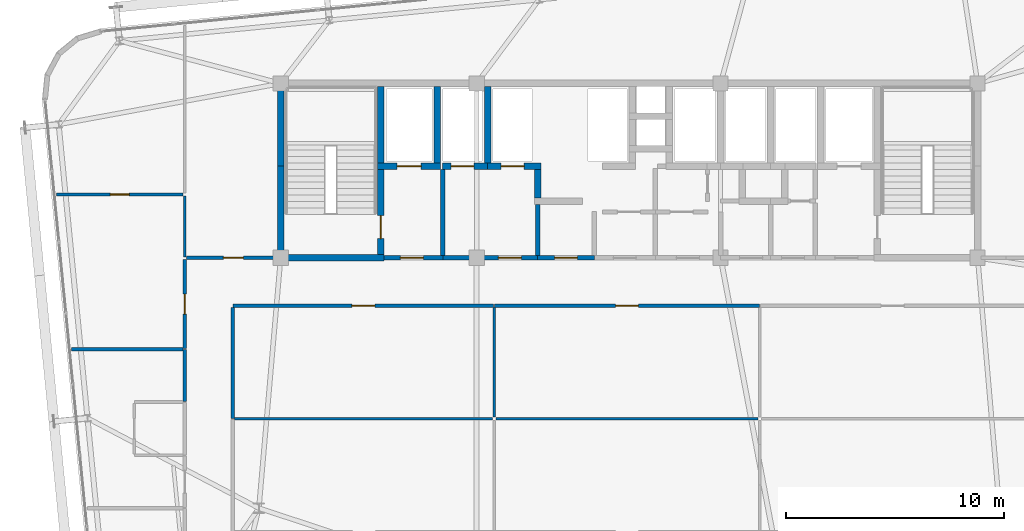
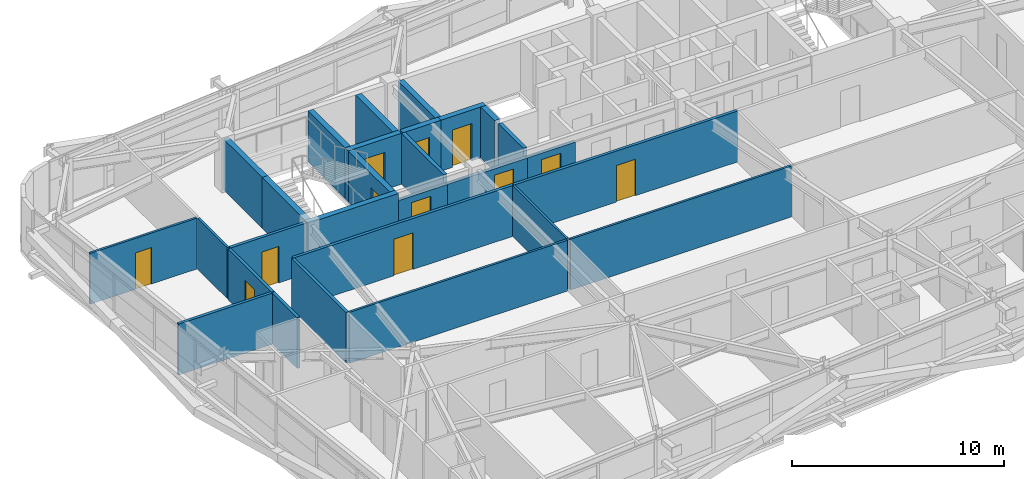
# One storey, part 47 of 54: 28 walls, 12 doors, 12 openings.
"""IFC4 building model written with IfcOpenShell, lengths in metres."""

from ifc_helpers import new_model, si_unit, direction, frame, frame_2d, origin, place, context, subcontext, project, spatial, rectangle, extrude, source, transform, mapped, material, layer, layer_set, type_object, element, fill, save


model = new_model("IFC4")

# Units and contexts
model_context = context("Model", 3, precision=1e-05, world=origin(), true_north=direction((0.0, 1.0)))
body_context = subcontext(model_context, "Body", "Model", "MODEL_VIEW")
ifc_project = project(units=[si_unit("LENGTHUNIT", "METRE"), si_unit("AREAUNIT", "SQUARE_METRE"), si_unit("VOLUMEUNIT", "CUBIC_METRE"), si_unit("PLANEANGLEUNIT", "RADIAN"), si_unit("MASSUNIT", "GRAM", prefix="KILO")], contexts=[model_context])

# Site, building, storey
site_placement = place(None, origin())
site = spatial("IfcSite", under=ifc_project, at=site_placement, CompositionType="ELEMENT")
building_placement = place(site_placement, origin())
building = spatial("IfcBuilding", under=site, at=building_placement, Name="Taldren Reach Tower", CompositionType="ELEMENT")
storey_placement = place(building_placement, frame((0.0, 0.0, 102.89990234375)))
storey = spatial("IfcBuildingStorey", under=building, at=storey_placement, Name="L31", CompositionType="ELEMENT", Elevation=102.89990234375)

# Wall, opening, door
ifc_material_1 = material(Name="Concrete S50 (50 MPa)", Category="concrete")
ifc_layer_1 = layer(ifc_material_1, 0.199951171875)
ifc_layer_set_1 = layer_set([ifc_layer_1], Name="Concrete S50 (50 MPa)")
wall_type_1 = type_object("IfcWallType", Name="IW-CORE-200", PredefinedType="SOLIDWALL", material=ifc_layer_set_1)
shared_shape_1 = source(origin(), body_context, "Body", "SweptSolid", [
    extrude(rectangle(XDim=4.35009765625, YDim=0.199951171875, at=frame_2d((2.175048828125, 0.0))), origin(), (0.0, 0.0, 1.0), 2.47021484375),
])
wall_1_placement = place(storey_placement, frame((30.800048828125, 24.0, 0.0), z_axis=(0.0, 0.0, 1.0), x_axis=(-1.0, 0.0, 0.0)))
wall_1 = element("IfcWall", 1, at=wall_1_placement, inside=storey, type_object=wall_type_1, Name="Rear Core Shear Wall W-INT-L31-034", PredefinedType="SOLIDWALL", context=body_context, shape_type="MappedRepresentation", body=[
    mapped(shared_shape_1, transform((0.0, 0.0, 0.0), scale=1.0)),
])
shared_shape_2 = source(origin(), body_context, "Body", "SweptSolid", [
    extrude(rectangle(XDim=1.050048828125, YDim=2.10009765625, at=frame_2d((0.52490234375, 1.050048828125))), frame((0.0, 0.10986328125, 0.0), z_axis=(0.0, -1.0, 0.0), x_axis=(1.0, 0.0, 0.0)), (0.0, 0.0, 1.0), 0.219970703125),
])
opening_1_placement = place(wall_1_placement, frame((0.75, 0.0, 0.0)))
opening_1 = element("IfcOpeningElement", 2, at=opening_1_placement, cuts=wall_1, Name="Opening DF-105", PredefinedType="OPENING", context=body_context, shape_type="MappedRepresentation", body=[
    mapped(shared_shape_2, transform((0.0, 0.0, 0.0), scale=1.0)),
])
ifc_material_2 = material(Name="Fire-Rated Care and Stair Exit Door")
door_type_1 = type_object("IfcDoorType", Name="ID-FIRE-105", OperationType="NOTDEFINED", PredefinedType="DOOR", material=ifc_material_2)
shared_shape_3 = source(origin(), body_context, "Body", "SweptSolid", [
    extrude(rectangle(XDim=1.050048828125, YDim=2.10009765625, at=frame_2d((0.52490234375, 1.050048828125))), frame((0.0, 0.02490234375, 0.0), z_axis=(0.0, -1.0, 0.0), x_axis=(1.0, 0.0, 0.0)), (0.0, 0.0, 1.0), 0.050048828125),
])
door_1_placement = place(opening_1_placement, frame((1.050048828125, 0.0, 0.0), z_axis=(0.0, 0.0, 1.0), x_axis=(-1.0, 0.0, 0.0)))
door_1 = element("IfcDoor", 3, at=door_1_placement, inside=storey, type_object=door_type_1, Name="Interior Door DR-L31-005", OperationType="SINGLE_SWING_RIGHT", OverallHeight=2.10009765625, OverallWidth=1.050048828125, PredefinedType="DOOR", context=body_context, shape_type="MappedRepresentation", body=[
    mapped(shared_shape_3, transform((0.0, 0.0, 0.0), scale=1.0)),
])
fill(opening_1, door_1)

shared_shape_4 = source(origin(), body_context, "Body", "SweptSolid", [
    extrude(rectangle(XDim=2.599853515625, YDim=0.199951171875, at=frame_2d((1.2998046875, 0.0))), origin(), (0.0, 0.0, 1.0), 2.47021484375),
])
wall_2_placement = place(storey_placement, frame((33.39990234375, 24.0, 0.0), z_axis=(0.0, 0.0, 1.0), x_axis=(-1.0, 0.0, 0.0)))
wall_2 = element("IfcWall", 4, at=wall_2_placement, inside=storey, type_object=wall_type_1, Name="Rear Core Shear Wall W-INT-L31-045", PredefinedType="SOLIDWALL", context=body_context, shape_type="MappedRepresentation", body=[
    mapped(shared_shape_4, transform((0.0, 0.0, 0.0), scale=1.0)),
])
opening_2_placement = place(wall_2_placement, frame((0.77490234375, 0.0, 0.0)))
opening_2 = element("IfcOpeningElement", 5, at=opening_2_placement, cuts=wall_2, Name="Opening DF-105", PredefinedType="OPENING", context=body_context, shape_type="MappedRepresentation", body=[
    mapped(shared_shape_2, transform((0.0, 0.0, 0.0), scale=1.0)),
])
door_2_placement = place(opening_2_placement, frame((1.050048828125, 0.0, 0.0), z_axis=(0.0, 0.0, 1.0), x_axis=(-1.0, 0.0, 0.0)))
door_2 = element("IfcDoor", 6, at=door_2_placement, inside=storey, type_object=door_type_1, Name="Interior Door DR-L31-006", OperationType="SINGLE_SWING_RIGHT", OverallHeight=2.10009765625, OverallWidth=1.050048828125, PredefinedType="DOOR", context=body_context, shape_type="MappedRepresentation", body=[
    mapped(shared_shape_3, transform((0.0, 0.0, 0.0), scale=1.0)),
])
fill(opening_2, door_2)

ifc_material_3 = material(Name="Fire-Rated Acoustic Plasterboard Stud Wall", Category="gypsum")
ifc_layer_2 = layer(ifc_material_3, 0.159912109375)
ifc_layer_set_2 = layer_set([ifc_layer_2], Name="Fire-Rated Acoustic Plasterboard Stud Wall")
wall_type_2 = type_object("IfcWallType", Name="IW-FIRE-160", PredefinedType="PARTITIONING", material=ifc_layer_set_2)
shared_shape_5 = source(origin(), body_context, "Body", "SweptSolid", [
    extrude(rectangle(XDim=12.159423828125, YDim=0.159912109375, at=frame_2d((6.07958984375, 0.0))), origin(), (0.0, 0.0, 1.0), 2.93017578125),
])
wall_3_placement = place(storey_placement, frame((40.979736328125, 21.800048828125, 0.0), z_axis=(0.0, 0.0, 1.0), x_axis=(-1.0, 0.0, 0.0)))
wall_3 = element("IfcWall", 7, at=wall_3_placement, inside=storey, type_object=wall_type_2, Name="Interior Partition Wall W-INT-L31-063", PredefinedType="PARTITIONING", context=body_context, shape_type="MappedRepresentation", body=[
    mapped(shared_shape_5, transform((0.0, 0.0, 0.0), scale=1.0)),
])
shared_shape_6 = source(origin(), body_context, "Body", "SweptSolid", [
    extrude(rectangle(XDim=1.050048828125, YDim=2.10009765625, at=frame_2d((0.52490234375, 1.050048828125))), frame((0.0, 0.08984375, 0.0), z_axis=(0.0, -1.0, 0.0), x_axis=(1.0, 0.0, 0.0)), (0.0, 0.0, 1.0), 0.179931640625),
])
opening_3_placement = place(wall_3_placement, frame((5.5546875, 0.0, 0.0)))
opening_3 = element("IfcOpeningElement", 8, at=opening_3_placement, cuts=wall_3, Name="Opening DF-105", PredefinedType="OPENING", context=body_context, shape_type="MappedRepresentation", body=[
    mapped(shared_shape_6, transform((0.0, 0.0, 0.0), scale=1.0)),
])
door_3_placement = place(opening_3_placement, origin())
door_3 = element("IfcDoor", 9, at=door_3_placement, inside=storey, type_object=door_type_1, Name="Interior Door DR-L31-015", OperationType="SINGLE_SWING_RIGHT", OverallHeight=2.10009765625, OverallWidth=1.050048828125, PredefinedType="DOOR", context=body_context, shape_type="MappedRepresentation", body=[
    mapped(shared_shape_3, transform((0.0, 0.0, 0.0), scale=1.0)),
])
fill(opening_3, door_3)

# Walls
shared_shape_7 = source(origin(), body_context, "Body", "SweptSolid", [
    extrude(rectangle(XDim=5.099853515625, YDim=0.159912109375, at=frame_2d((2.5498046875, 0.0))), origin(), (0.0, 0.0, 1.0), 2.93017578125),
])
wall_4_placement = place(storey_placement, frame((16.800048828125, 21.719970703125, 0.0), z_axis=(0.0, 0.0, 1.0), x_axis=(0.0, -1.0, 0.0)))
element("IfcWall", 10, at=wall_4_placement, inside=storey, type_object=wall_type_2, Name="Interior Partition Wall W-INT-L31-062", PredefinedType="PARTITIONING", context=body_context, shape_type="MappedRepresentation", body=[
    mapped(shared_shape_7, transform((0.0, 0.0, 0.0), scale=1.0)),
])
ifc_material_4 = material(Name="Insulated Residential Stud Partition", Category="gypsum")
ifc_layer_3 = layer(ifc_material_4, 0.1201171875)
ifc_layer_set_3 = layer_set([ifc_layer_3], Name="Insulated Residential Stud Partition")
wall_type_3 = type_object("IfcWallType", Name="IW-PART-120", PredefinedType="PARTITIONING", material=ifc_layer_set_3)
shared_shape_8 = source(origin(), body_context, "Body", "SweptSolid", [
    extrude(rectangle(XDim=12.0400390625, YDim=0.1201171875, at=frame_2d((6.02001953125, 0.0))), origin(), (0.0, 0.0, 1.0), 2.93017578125),
])
wall_5_placement = place(storey_placement, frame((28.8798828125, 16.60009765625, 0.0), z_axis=(0.0, 0.0, 1.0), x_axis=(1.0, 0.0, 0.0)))
element("IfcWall", 11, at=wall_5_placement, inside=storey, type_object=wall_type_3, Name="Interior Partition Wall W-INT-L31-093", PredefinedType="PARTITIONING", context=body_context, shape_type="MappedRepresentation", body=[
    mapped(shared_shape_8, transform((0.0, 0.0, 0.0), scale=1.0)),
])
shared_shape_9 = source(origin(), body_context, "Body", "SweptSolid", [
    extrude(rectangle(XDim=5.0400390625, YDim=0.1201171875, at=frame_2d((2.52001953125, 0.0))), origin(), (0.0, 0.0, 1.0), 2.93017578125),
])
wall_6_placement = place(storey_placement, frame((28.800048828125, 21.719970703125, 0.0), z_axis=(0.0, 0.0, 1.0), x_axis=(0.0, -1.0, 0.0)))
element("IfcWall", 12, at=wall_6_placement, inside=storey, type_object=wall_type_3, Name="Interior Partition Wall W-INT-L31-092", PredefinedType="PARTITIONING", context=body_context, shape_type="MappedRepresentation", body=[
    mapped(shared_shape_9, transform((0.0, 0.0, 0.0), scale=1.0)),
])

# Wall, opening, door
shared_shape_10 = source(origin(), body_context, "Body", "SweptSolid", [
    extrude(rectangle(XDim=11.95947265625, YDim=0.159912109375, at=frame_2d((5.979736328125, 0.0))), origin(), (0.0, 0.0, 1.0), 2.93017578125),
])
wall_7_placement = place(storey_placement, frame((28.77978515625, 21.800048828125, 0.0), z_axis=(0.0, 0.0, 1.0), x_axis=(-1.0, 0.0, 0.0)))
wall_7 = element("IfcWall", 13, at=wall_7_placement, inside=storey, type_object=wall_type_2, Name="Interior Partition Wall W-INT-L31-061", PredefinedType="PARTITIONING", context=body_context, shape_type="MappedRepresentation", body=[
    mapped(shared_shape_10, transform((0.0, 0.0, 0.0), scale=1.0)),
])
opening_4_placement = place(wall_7_placement, frame((5.454833984375, 0.0, 0.0)))
opening_4 = element("IfcOpeningElement", 14, at=opening_4_placement, cuts=wall_7, Name="Opening DF-105", PredefinedType="OPENING", context=body_context, shape_type="MappedRepresentation", body=[
    mapped(shared_shape_6, transform((0.0, 0.0, 0.0), scale=1.0)),
])
door_4_placement = place(opening_4_placement, origin())
door_4 = element("IfcDoor", 15, at=door_4_placement, inside=storey, type_object=door_type_1, Name="Interior Door DR-L31-014", OperationType="SINGLE_SWING_LEFT", OverallHeight=2.10009765625, OverallWidth=1.050048828125, PredefinedType="DOOR", context=body_context, shape_type="MappedRepresentation", body=[
    mapped(shared_shape_3, transform((0.0, 0.0, 0.0), scale=1.0)),
])
fill(opening_4, door_4)

# Walls
shared_shape_11 = source(origin(), body_context, "Body", "SweptSolid", [
    extrude(rectangle(XDim=11.840087890625, YDim=0.1201171875, at=frame_2d((5.919921875, 0.0))), origin(), (0.0, 0.0, 1.0), 2.93017578125),
])
wall_8_placement = place(storey_placement, frame((16.8798828125, 16.60009765625, 0.0), z_axis=(0.0, 0.0, 1.0), x_axis=(1.0, 0.0, 0.0)))
element("IfcWall", 16, at=wall_8_placement, inside=storey, type_object=wall_type_3, Name="Interior Partition Wall W-INT-L31-090", PredefinedType="PARTITIONING", context=body_context, shape_type="MappedRepresentation", body=[
    mapped(shared_shape_11, transform((0.0, 0.0, 0.0), scale=1.0)),
])
ifc_material_5 = material(Name="Concrete S65 (65 MPa)", Category="concrete")
ifc_layer_4 = layer(ifc_material_5, 0.300048828125)
ifc_layer_set_4 = layer_set([ifc_layer_4], Name="Concrete S65 (65 MPa)")
wall_type_4 = type_object("IfcWallType", Name="IW-CORE-300", PredefinedType="SHEAR", material=ifc_layer_set_4)
shared_shape_12 = source(origin(), body_context, "Body", "SweptSolid", [
    extrude(rectangle(XDim=4.050048828125, YDim=0.300048828125, at=frame_2d((2.02490234375, 0.0))), origin(), (0.0, 0.0, 1.0), 2.93017578125),
])
wall_9_placement = place(storey_placement, frame((19.0, 24.14990234375, 0.0), z_axis=(0.0, 0.0, 1.0), x_axis=(0.0, 1.0, 0.0)))
element("IfcWall", 17, at=wall_9_placement, inside=storey, type_object=wall_type_4, Name="Rear Core Shear Wall W-CORE-L31-WEST1", PredefinedType="SHEAR", context=body_context, shape_type="MappedRepresentation", body=[
    mapped(shared_shape_12, transform((0.0, 0.0, 0.0), scale=1.0)),
])
shared_shape_13 = source(origin(), body_context, "Body", "SweptSolid", [
    extrude(rectangle(XDim=3.650146484375, YDim=0.300048828125, at=frame_2d((1.8251953125, 0.0))), origin(), (0.0, 0.0, 1.0), 2.93017578125),
])
wall_10_placement = place(storey_placement, frame((19.0, 28.199951171875, 0.0), z_axis=(0.0, 0.0, 1.0), x_axis=(0.0, 1.0, 0.0)))
element("IfcWall", 18, at=wall_10_placement, inside=storey, type_object=wall_type_4, Name="Rear Core Shear Wall W-CORE-L31-WEST2", PredefinedType="SHEAR", context=body_context, shape_type="MappedRepresentation", body=[
    mapped(shared_shape_13, transform((0.0, 0.0, 0.0), scale=1.0)),
])
shared_shape_14 = source(origin(), body_context, "Body", "SweptSolid", [
    extrude(rectangle(XDim=3.5, YDim=0.300048828125, at=frame_2d((1.75, 0.0))), origin(), (0.0, 0.0, 1.0), 2.93017578125),
])
for number, where, z_axis, x_axis, name in (
    (19, (23.60009765625, 28.35009765625, 0.0), (0.0, 0.0, 1.0), (0.0, 1.0, 0.0), "Rear Core Shear Wall W-INT-L31-001"),
    (20, (26.199951171875, 28.35009765625, 0.0), (0.0, 0.0, 1.0), (0.0, 1.0, 0.0), "Rear Core Shear Wall W-INT-L31-005"),
    (21, (28.5, 28.35009765625, 0.0), (0.0, 0.0, 1.0), (0.0, 1.0, 0.0), "Rear Core Shear Wall W-INT-L31-030"),
):
    element("IfcWall", number, at=place(storey_placement, frame(where, z_axis=z_axis, x_axis=x_axis)), inside=storey, type_object=wall_type_4, Name=name, PredefinedType="SHEAR", context=body_context, shape_type="MappedRepresentation", body=[
        mapped(shared_shape_14, transform((0.0, 0.0, 0.0), scale=1.0)),
    ])

# Wall, opening, door
shared_shape_15 = source(origin(), body_context, "Body", "SweptSolid", [
    extrude(rectangle(XDim=3.900146484375, YDim=0.300048828125, at=frame_2d((1.9501953125, 0.0))), origin(), (0.0, 0.0, 1.0), 2.93017578125),
])
wall_11_placement = place(storey_placement, frame((23.60009765625, 24.14990234375, 0.0), z_axis=(0.0, 0.0, 1.0), x_axis=(0.0, 1.0, 0.0)))
wall_11 = element("IfcWall", 22, at=wall_11_placement, inside=storey, type_object=wall_type_4, Name="Rear Core Shear Wall W-INT-L31-002", PredefinedType="SHEAR", context=body_context, shape_type="MappedRepresentation", body=[
    mapped(shared_shape_15, transform((0.0, 0.0, 0.0), scale=1.0)),
])
shared_shape_16 = source(origin(), body_context, "Body", "SweptSolid", [
    extrude(rectangle(XDim=1.050048828125, YDim=2.10009765625, at=frame_2d((0.52490234375, 1.050048828125))), frame((0.0, 0.16015625, 0.0), z_axis=(0.0, -1.0, 0.0), x_axis=(1.0, 0.0, 0.0)), (0.0, 0.0, 1.0), 0.320068359375),
])
opening_5_placement = place(wall_11_placement, frame((0.72509765625, 0.0, 0.0)))
opening_5 = element("IfcOpeningElement", 23, at=opening_5_placement, cuts=wall_11, Name="Opening DF-105", PredefinedType="OPENING", context=body_context, shape_type="MappedRepresentation", body=[
    mapped(shared_shape_16, transform((0.0, 0.0, 0.0), scale=1.0)),
])
door_5_placement = place(opening_5_placement, origin())
door_5 = element("IfcDoor", 24, at=door_5_placement, inside=storey, type_object=door_type_1, Name="Fire Exit Stair Door DR-L31-001", OperationType="SINGLE_SWING_LEFT", OverallHeight=2.10009765625, OverallWidth=1.050048828125, PredefinedType="DOOR", context=body_context, shape_type="MappedRepresentation", body=[
    mapped(shared_shape_3, transform((0.0, 0.0, 0.0), scale=1.0)),
])
fill(opening_5, door_5)

# Wall
shared_shape_17 = source(origin(), body_context, "Body", "SweptSolid", [
    extrude(rectangle(XDim=4.89990234375, YDim=0.300048828125, at=frame_2d((2.449951171875, 0.0))), origin(), (0.0, 0.0, 1.0), 2.93017578125),
])
wall_12_placement = place(storey_placement, frame((18.85009765625, 24.0, 0.0), z_axis=(0.0, 0.0, 1.0), x_axis=(1.0, 0.0, 0.0)))
element("IfcWall", 25, at=wall_12_placement, inside=storey, type_object=wall_type_4, Name="Rear Core Shear Wall W-INT-L31-003", PredefinedType="SHEAR", context=body_context, shape_type="MappedRepresentation", body=[
    mapped(shared_shape_17, transform((0.0, 0.0, 0.0), scale=1.0)),
])

# Wall, opening, door
shared_shape_18 = source(origin(), body_context, "Body", "SweptSolid", [
    extrude(rectangle(XDim=2.900146484375, YDim=0.300048828125, at=frame_2d((1.4501953125, 0.0))), origin(), (0.0, 0.0, 1.0), 2.93017578125),
])
wall_13_placement = place(storey_placement, frame((23.449951171875, 28.199951171875, 0.0), z_axis=(0.0, 0.0, 1.0), x_axis=(1.0, 0.0, 0.0)))
wall_13 = element("IfcWall", 26, at=wall_13_placement, inside=storey, type_object=wall_type_4, Name="Rear Core Shear Wall W-INT-L31-004", PredefinedType="SHEAR", context=body_context, shape_type="MappedRepresentation", body=[
    mapped(shared_shape_18, transform((0.0, 0.0, 0.0), scale=1.0)),
])
shared_shape_19 = source(origin(), body_context, "Body", "SweptSolid", [
    extrude(rectangle(XDim=1.10009765625, YDim=2.14990234375, at=frame_2d((0.550048828125, 1.074951171875))), frame((0.0, 0.16015625, 0.0), z_axis=(0.0, -1.0, 0.0), x_axis=(1.0, 0.0, 0.0)), (0.0, 0.0, 1.0), 0.320068359375),
])
opening_6_placement = place(wall_13_placement, frame((0.89990234375, 0.0, 0.0)))
opening_6 = element("IfcOpeningElement", 27, at=opening_6_placement, cuts=wall_13, Name="Opening LD-FL1", PredefinedType="OPENING", context=body_context, shape_type="MappedRepresentation", body=[
    mapped(shared_shape_19, transform((0.0, 0.0, 0.0), scale=1.0)),
])
ifc_material_6 = material(Name="Stainless Steel Gr 316 Emergency Lift Landing Door", Category="steel")
door_type_2 = type_object("IfcDoorType", Name="LD-EMG-110", OperationType="SLIDING_TO_LEFT", PredefinedType="DOOR", material=ifc_material_6)
shared_shape_20 = source(origin(), body_context, "Body", "SweptSolid", [
    extrude(rectangle(XDim=1.10009765625, YDim=2.14990234375, at=frame_2d((0.550048828125, 1.074951171875))), frame((0.0, 0.02490234375, 0.0), z_axis=(0.0, -1.0, 0.0), x_axis=(1.0, 0.0, 0.0)), (0.0, 0.0, 1.0), 0.050048828125),
])
door_6_placement = place(opening_6_placement, origin())
door_6 = element("IfcDoor", 28, at=door_6_placement, inside=storey, type_object=door_type_2, Name="Lift Landing Door LD-FL1-L31", OperationType="SLIDING_TO_LEFT", OverallHeight=2.14990234375, OverallWidth=1.10009765625, PredefinedType="DOOR", context=body_context, shape_type="MappedRepresentation", body=[
    mapped(shared_shape_20, transform((0.0, 0.0, 0.0), scale=1.0)),
])
fill(opening_6, door_6)

# Wall
shared_shape_21 = source(origin(), body_context, "Body", "SweptSolid", [
    extrude(rectangle(XDim=3.949951171875, YDim=0.199951171875, at=frame_2d((1.97509765625, 0.0))), origin(), (0.0, 0.0, 1.0), 2.93017578125),
])
wall_14_placement = place(storey_placement, frame((26.449951171875, 24.10009765625, 0.0), z_axis=(0.0, 0.0, 1.0), x_axis=(0.0, 1.0, 0.0)))
element("IfcWall", 29, at=wall_14_placement, inside=storey, type_object=wall_type_1, Name="Rear Core Shear Wall W-INT-L31-006", PredefinedType="SOLIDWALL", context=body_context, shape_type="MappedRepresentation", body=[
    mapped(shared_shape_21, transform((0.0, 0.0, 0.0), scale=1.0)),
])

# Wall, opening, door
shared_shape_22 = source(origin(), body_context, "Body", "SweptSolid", [
    extrude(rectangle(XDim=2.699951171875, YDim=0.199951171875, at=frame_2d((1.35009765625, 0.0))), origin(), (0.0, 0.0, 1.0), 2.47021484375),
])
wall_15_placement = place(storey_placement, frame((23.75, 24.0, 0.0), z_axis=(0.0, 0.0, 1.0), x_axis=(1.0, 0.0, 0.0)))
wall_15 = element("IfcWall", 30, at=wall_15_placement, inside=storey, type_object=wall_type_1, Name="Rear Core Shear Wall W-INT-L31-007", PredefinedType="SOLIDWALL", context=body_context, shape_type="MappedRepresentation", body=[
    mapped(shared_shape_22, transform((0.0, 0.0, 0.0), scale=1.0)),
])
opening_7_placement = place(wall_15_placement, frame((0.75, 0.0, 0.0)))
opening_7 = element("IfcOpeningElement", 31, at=opening_7_placement, cuts=wall_15, Name="Opening DF-105", PredefinedType="OPENING", context=body_context, shape_type="MappedRepresentation", body=[
    mapped(shared_shape_2, transform((0.0, 0.0, 0.0), scale=1.0)),
])
door_7_placement = place(opening_7_placement, origin())
door_7 = element("IfcDoor", 32, at=door_7_placement, inside=storey, type_object=door_type_1, Name="Interior Door DR-L31-002", OperationType="SINGLE_SWING_LEFT", OverallHeight=2.10009765625, OverallWidth=1.050048828125, PredefinedType="DOOR", context=body_context, shape_type="MappedRepresentation", body=[
    mapped(shared_shape_3, transform((0.0, 0.0, 0.0), scale=1.0)),
])
fill(opening_7, door_7)

# Wall
shared_shape_23 = source(origin(), body_context, "Body", "SweptSolid", [
    extrude(rectangle(XDim=1.300048828125, YDim=0.300048828125, at=frame_2d((0.64990234375, 0.0))), origin(), (0.0, 0.0, 1.0), 2.93017578125),
])
wall_16_placement = place(storey_placement, frame((30.800048828125, 28.050048828125, 0.0), z_axis=(0.0, 0.0, 1.0), x_axis=(0.0, -1.0, 0.0)))
element("IfcWall", 33, at=wall_16_placement, inside=storey, type_object=wall_type_4, Name="Rear Core Shear Wall W-INT-L31-022", PredefinedType="SHEAR", context=body_context, shape_type="MappedRepresentation", body=[
    mapped(shared_shape_23, transform((0.0, 0.0, 0.0), scale=1.0)),
])

# Wall, opening, door
shared_shape_24 = source(origin(), body_context, "Body", "SweptSolid", [
    extrude(rectangle(XDim=2.070068359375, YDim=0.300048828125, at=frame_2d((1.03515625, 0.0))), origin(), (0.0, 0.0, 1.0), 2.93017578125),
])
wall_17_placement = place(storey_placement, frame((26.429931640625, 28.199951171875, 0.0), z_axis=(0.0, 0.0, 1.0), x_axis=(1.0, 0.0, 0.0)))
wall_17 = element("IfcWall", 34, at=wall_17_placement, inside=storey, type_object=wall_type_4, Name="Rear Core Shear Wall W-INT-L31-031", PredefinedType="SHEAR", context=body_context, shape_type="MappedRepresentation", body=[
    mapped(shared_shape_24, transform((0.0, 0.0, 0.0), scale=1.0)),
])
shared_shape_25 = source(origin(), body_context, "Body", "SweptSolid", [
    extrude(rectangle(XDim=1.050048828125, YDim=2.14990234375, at=frame_2d((0.52490234375, 1.074951171875))), frame((0.0, 0.16015625, 0.0), z_axis=(0.0, -1.0, 0.0), x_axis=(1.0, 0.0, 0.0)), (0.0, 0.0, 1.0), 0.320068359375),
])
opening_8_placement = place(wall_17_placement, frame((0.39501953125, 0.0, 0.0)))
opening_8 = element("IfcOpeningElement", 35, at=opening_8_placement, cuts=wall_17, Name="Opening LD-PL1", PredefinedType="OPENING", context=body_context, shape_type="MappedRepresentation", body=[
    mapped(shared_shape_25, transform((0.0, 0.0, 0.0), scale=1.0)),
])
ifc_material_7 = material(Name="Stainless Steel Gr 316 Passenger Lift Landing Door", Category="steel")
door_type_3 = type_object("IfcDoorType", Name="LD-PAS-105", OperationType="SLIDING_TO_LEFT", PredefinedType="DOOR", material=ifc_material_7)
shared_shape_26 = source(origin(), body_context, "Body", "SweptSolid", [
    extrude(rectangle(XDim=1.050048828125, YDim=2.14990234375, at=frame_2d((0.52490234375, 1.074951171875))), frame((0.0, 0.02490234375, 0.0), z_axis=(0.0, -1.0, 0.0), x_axis=(1.0, 0.0, 0.0)), (0.0, 0.0, 1.0), 0.050048828125),
])
door_8_placement = place(opening_8_placement, origin())
door_8 = element("IfcDoor", 36, at=door_8_placement, inside=storey, type_object=door_type_3, Name="Lift Landing Door LD-PL1-L31", OperationType="SLIDING_TO_LEFT", OverallHeight=2.14990234375, OverallWidth=1.050048828125, PredefinedType="DOOR", context=body_context, shape_type="MappedRepresentation", body=[
    mapped(shared_shape_26, transform((0.0, 0.0, 0.0), scale=1.0)),
])
fill(opening_8, door_8)

shared_shape_27 = source(origin(), body_context, "Body", "SweptSolid", [
    extrude(rectangle(XDim=2.449951171875, YDim=0.300048828125, at=frame_2d((1.22509765625, 0.0))), origin(), (0.0, 0.0, 1.0), 2.93017578125),
])
wall_18_placement = place(storey_placement, frame((28.5, 28.199951171875, 0.0), z_axis=(0.0, 0.0, 1.0), x_axis=(1.0, 0.0, 0.0)))
wall_18 = element("IfcWall", 37, at=wall_18_placement, inside=storey, type_object=wall_type_4, Name="Rear Core Shear Wall W-INT-L31-032", PredefinedType="SHEAR", context=body_context, shape_type="MappedRepresentation", body=[
    mapped(shared_shape_27, transform((0.0, 0.0, 0.0), scale=1.0)),
])
opening_9_placement = place(wall_18_placement, frame((0.625, 0.0, 0.0)))
opening_9 = element("IfcOpeningElement", 38, at=opening_9_placement, cuts=wall_18, Name="Opening LD-PL2", PredefinedType="OPENING", context=body_context, shape_type="MappedRepresentation", body=[
    mapped(shared_shape_25, transform((0.0, 0.0, 0.0), scale=1.0)),
])
door_9_placement = place(opening_9_placement, origin())
door_9 = element("IfcDoor", 39, at=door_9_placement, inside=storey, type_object=door_type_3, Name="Lift Landing Door LD-PL2-L31", OperationType="SLIDING_TO_LEFT", OverallHeight=2.14990234375, OverallWidth=1.050048828125, PredefinedType="DOOR", context=body_context, shape_type="MappedRepresentation", body=[
    mapped(shared_shape_26, transform((0.0, 0.0, 0.0), scale=1.0)),
])
fill(opening_9, door_9)

# Wall
shared_shape_28 = source(origin(), body_context, "Body", "SweptSolid", [
    extrude(rectangle(XDim=2.349853515625, YDim=0.199951171875, at=frame_2d((1.1748046875, 0.0))), origin(), (0.0, 0.0, 1.0), 2.93017578125),
])
wall_19_placement = place(storey_placement, frame((30.800048828125, 26.449951171875, 0.0), z_axis=(0.0, 0.0, 1.0), x_axis=(0.0, -1.0, 0.0)))
element("IfcWall", 40, at=wall_19_placement, inside=storey, type_object=wall_type_1, Name="Rear Core Shear Wall W-INT-L31-033", PredefinedType="SOLIDWALL", context=body_context, shape_type="MappedRepresentation", body=[
    mapped(shared_shape_28, transform((0.0, 0.0, 0.0), scale=1.0)),
])

# Wall, opening, door
shared_shape_29 = source(origin(), body_context, "Body", "SweptSolid", [
    extrude(rectangle(XDim=4.170166015625, YDim=0.159912109375, at=frame_2d((2.0849609375, 0.0))), origin(), (0.0, 0.0, 1.0), 2.93017578125),
])
wall_20_placement = place(storey_placement, frame((14.679931640625, 24.0, 0.0), z_axis=(0.0, 0.0, 1.0), x_axis=(1.0, 0.0, 0.0)))
wall_20 = element("IfcWall", 41, at=wall_20_placement, inside=storey, type_object=wall_type_2, Name="Interior Partition Wall W-INT-L31-076", PredefinedType="PARTITIONING", context=body_context, shape_type="MappedRepresentation", body=[
    mapped(shared_shape_29, transform((0.0, 0.0, 0.0), scale=1.0)),
])
shared_shape_30 = source(origin(), body_context, "Body", "SweptSolid", [
    extrude(rectangle(XDim=0.919921875, YDim=2.10009765625, at=frame_2d((0.4599609375, 1.050048828125))), frame((0.0, 0.08984375, 0.0), z_axis=(0.0, -1.0, 0.0), x_axis=(1.0, 0.0, 0.0)), (0.0, 0.0, 1.0), 0.179931640625),
])
opening_10_placement = place(wall_20_placement, frame((1.68994140625, 0.0, 0.0)))
opening_10 = element("IfcOpeningElement", 42, at=opening_10_placement, cuts=wall_20, Name="Opening DI-092", PredefinedType="OPENING", context=body_context, shape_type="MappedRepresentation", body=[
    mapped(shared_shape_30, transform((0.0, 0.0, 0.0), scale=1.0)),
])
ifc_material_8 = material(Name="Solid-Core Timber Suite Door", Category="wood")
door_type_4 = type_object("IfcDoorType", Name="ID-INT-092", OperationType="NOTDEFINED", PredefinedType="DOOR", material=ifc_material_8)
shared_shape_31 = source(origin(), body_context, "Body", "SweptSolid", [
    extrude(rectangle(XDim=0.919921875, YDim=2.10009765625, at=frame_2d((0.4599609375, 1.050048828125))), frame((0.0, 0.02490234375, 0.0), z_axis=(0.0, -1.0, 0.0), x_axis=(1.0, 0.0, 0.0)), (0.0, 0.0, 1.0), 0.050048828125),
])
door_10_placement = place(opening_10_placement, origin())
door_10 = element("IfcDoor", 43, at=door_10_placement, inside=storey, type_object=door_type_4, Name="Interior Door DR-L31-024", OperationType="SINGLE_SWING_LEFT", OverallHeight=2.10009765625, OverallWidth=0.919921875, PredefinedType="DOOR", context=body_context, shape_type="MappedRepresentation", body=[
    mapped(shared_shape_31, transform((0.0, 0.0, 0.0), scale=1.0)),
])
fill(opening_10, door_10)

# Wall
shared_shape_32 = source(origin(), body_context, "Body", "SweptSolid", [
    extrude(rectangle(XDim=2.384521484375, YDim=0.159912109375, at=frame_2d((1.1923828125, 0.0))), origin(), (0.0, 0.0, 1.0), 2.93017578125),
])
wall_21_placement = place(storey_placement, frame((14.60009765625, 17.395263671875, 0.0), z_axis=(0.0, 0.0, 1.0), x_axis=(0.0, 1.0, 0.0)))
element("IfcWall", 44, at=wall_21_placement, inside=storey, type_object=wall_type_2, Name="Interior Partition Wall W-INT-L31-071", PredefinedType="PARTITIONING", context=body_context, shape_type="MappedRepresentation", body=[
    mapped(shared_shape_32, transform((0.0, 0.0, 0.0), scale=1.0)),
])

# Wall, opening, door
shared_shape_33 = source(origin(), body_context, "Body", "SweptSolid", [
    extrude(rectangle(XDim=4.099609375, YDim=0.159912109375, at=frame_2d((2.0498046875, 0.0))), origin(), (0.0, 0.0, 1.0), 2.93017578125),
])
wall_22_placement = place(storey_placement, frame((14.60009765625, 19.8203125, 0.0), z_axis=(0.0, 0.0, 1.0), x_axis=(0.0, 1.0, 0.0)))
wall_22 = element("IfcWall", 45, at=wall_22_placement, inside=storey, type_object=wall_type_2, Name="Interior Partition Wall W-INT-L31-073", PredefinedType="PARTITIONING", context=body_context, shape_type="MappedRepresentation", body=[
    mapped(shared_shape_33, transform((0.0, 0.0, 0.0), scale=1.0)),
])
opening_11_placement = place(wall_22_placement, frame((1.58984375, 0.0, 0.0)))
opening_11 = element("IfcOpeningElement", 46, at=opening_11_placement, cuts=wall_22, Name="Opening DI-092", PredefinedType="OPENING", context=body_context, shape_type="MappedRepresentation", body=[
    mapped(shared_shape_30, transform((0.0, 0.0, 0.0), scale=1.0)),
])
door_11_placement = place(opening_11_placement, origin())
door_11 = element("IfcDoor", 47, at=door_11_placement, inside=storey, type_object=door_type_4, Name="Interior Door DR-L31-021", OperationType="SINGLE_SWING_RIGHT", OverallHeight=2.10009765625, OverallWidth=0.919921875, PredefinedType="DOOR", context=body_context, shape_type="MappedRepresentation", body=[
    mapped(shared_shape_31, transform((0.0, 0.0, 0.0), scale=1.0)),
])
fill(opening_11, door_11)

# Wall
shared_shape_34 = source(origin(), body_context, "Body", "SweptSolid", [
    extrude(rectangle(XDim=5.1103515625, YDim=0.159912109375, at=frame_2d((2.55517578125, 0.0))), origin(), (0.0, 0.0, 1.0), 2.93017578125),
])
wall_23_placement = place(storey_placement, frame((9.40771484375, 19.800048828125, 0.0), z_axis=(0.0, 0.0, 1.0), x_axis=(1.0, 0.0, 0.0)))
element("IfcWall", 48, at=wall_23_placement, inside=storey, type_object=wall_type_2, Name="Interior Partition Wall W-INT-L31-134", PredefinedType="PARTITIONING", context=body_context, shape_type="MappedRepresentation", body=[
    mapped(shared_shape_34, transform((0.0, 0.0, 0.0), scale=1.0)),
])

# Wall, opening, door
shared_shape_35 = source(origin(), body_context, "Body", "SweptSolid", [
    extrude(rectangle(XDim=5.810546875, YDim=0.1201171875, at=frame_2d((2.9052734375, 0.0))), origin(), (0.0, 0.0, 1.0), 2.93017578125),
])
wall_24_placement = place(storey_placement, frame((8.70947265625, 26.89990234375, 0.0), z_axis=(0.0, 0.0, 1.0), x_axis=(1.0, 0.0, 0.0)))
wall_24 = element("IfcWall", 49, at=wall_24_placement, inside=storey, type_object=wall_type_3, Name="Interior Partition Wall W-INT-L31-135", PredefinedType="PARTITIONING", context=body_context, shape_type="MappedRepresentation", body=[
    mapped(shared_shape_35, transform((0.0, 0.0, 0.0), scale=1.0)),
])
shared_shape_36 = source(origin(), body_context, "Body", "SweptSolid", [
    extrude(rectangle(XDim=0.860107421875, YDim=2.10009765625, at=frame_2d((0.43017578125, 1.050048828125))), frame((0.0, 0.070068359375, 0.0), z_axis=(0.0, -1.0, 0.0), x_axis=(1.0, 0.0, 0.0)), (0.0, 0.0, 1.0), 0.14013671875),
])
opening_12_placement = place(wall_24_placement, frame((2.47509765625, 0.0, 0.0)))
opening_12 = element("IfcOpeningElement", 50, at=opening_12_placement, cuts=wall_24, Name="Opening DI-086", PredefinedType="OPENING", context=body_context, shape_type="MappedRepresentation", body=[
    mapped(shared_shape_36, transform((0.0, 0.0, 0.0), scale=1.0)),
])
ifc_material_9 = material(Name="Timber Bathroom Door", Category="wood")
door_type_5 = type_object("IfcDoorType", Name="ID-INT-086", OperationType="NOTDEFINED", PredefinedType="DOOR", material=ifc_material_9)
shared_shape_37 = source(origin(), body_context, "Body", "SweptSolid", [
    extrude(rectangle(XDim=0.860107421875, YDim=2.10009765625, at=frame_2d((0.43017578125, 1.050048828125))), frame((0.0, 0.02490234375, 0.0), z_axis=(0.0, -1.0, 0.0), x_axis=(1.0, 0.0, 0.0)), (0.0, 0.0, 1.0), 0.050048828125),
])
door_12_placement = place(opening_12_placement, frame((0.860107421875, 0.0, 0.0), z_axis=(0.0, 0.0, 1.0), x_axis=(-1.0, 0.0, 0.0)))
door_12 = element("IfcDoor", 51, at=door_12_placement, inside=storey, type_object=door_type_5, Name="Interior Door DR-L31-042", OperationType="SINGLE_SWING_RIGHT", OverallHeight=2.10009765625, OverallWidth=0.860107421875, PredefinedType="DOOR", context=body_context, shape_type="MappedRepresentation", body=[
    mapped(shared_shape_37, transform((0.0, 0.0, 0.0), scale=1.0)),
])
fill(opening_12, door_12)

# Wall
shared_shape_38 = source(origin(), body_context, "Body", "SweptSolid", [
    extrude(rectangle(XDim=2.7998046875, YDim=0.1201171875, at=frame_2d((1.39990234375, 0.0))), origin(), (0.0, 0.0, 1.0), 2.93017578125),
])
wall_25_placement = place(storey_placement, frame((14.60009765625, 26.820068359375, 0.0), z_axis=(0.0, 0.0, 1.0), x_axis=(0.0, -1.0, 0.0)))
element("IfcWall", 52, at=wall_25_placement, inside=storey, type_object=wall_type_3, Name="Interior Partition Wall W-INT-L31-136", PredefinedType="PARTITIONING", context=body_context, shape_type="MappedRepresentation", body=[
    mapped(shared_shape_38, transform((0.0, 0.0, 0.0), scale=1.0)),
])

save(model, "model.ifc")
